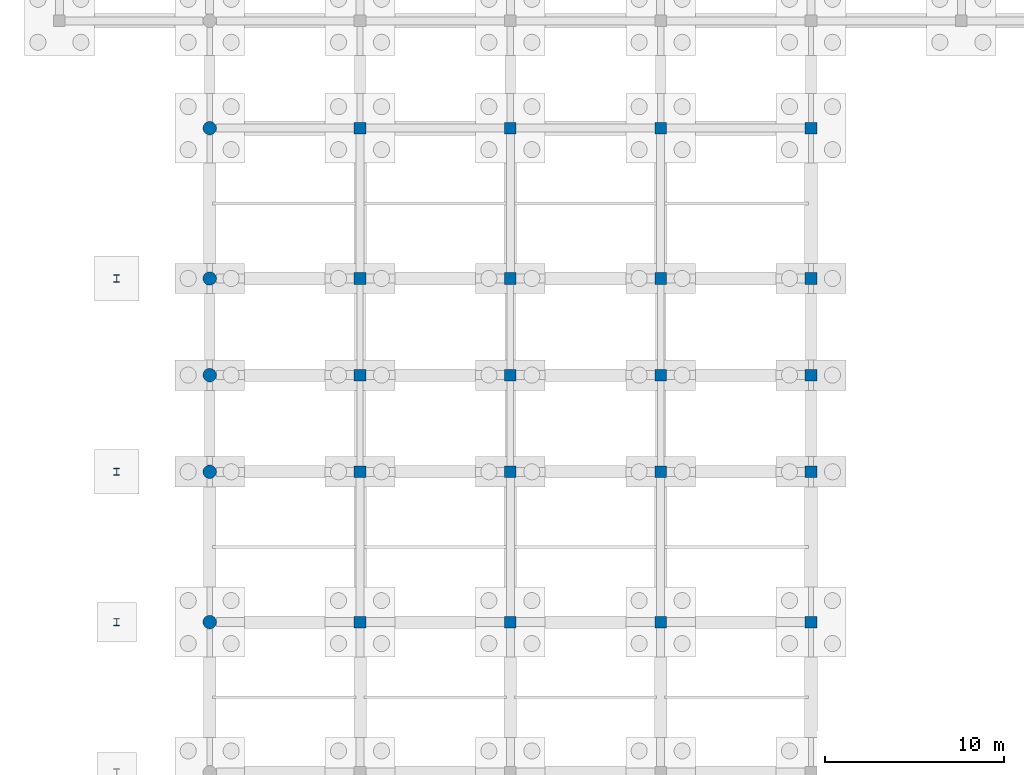
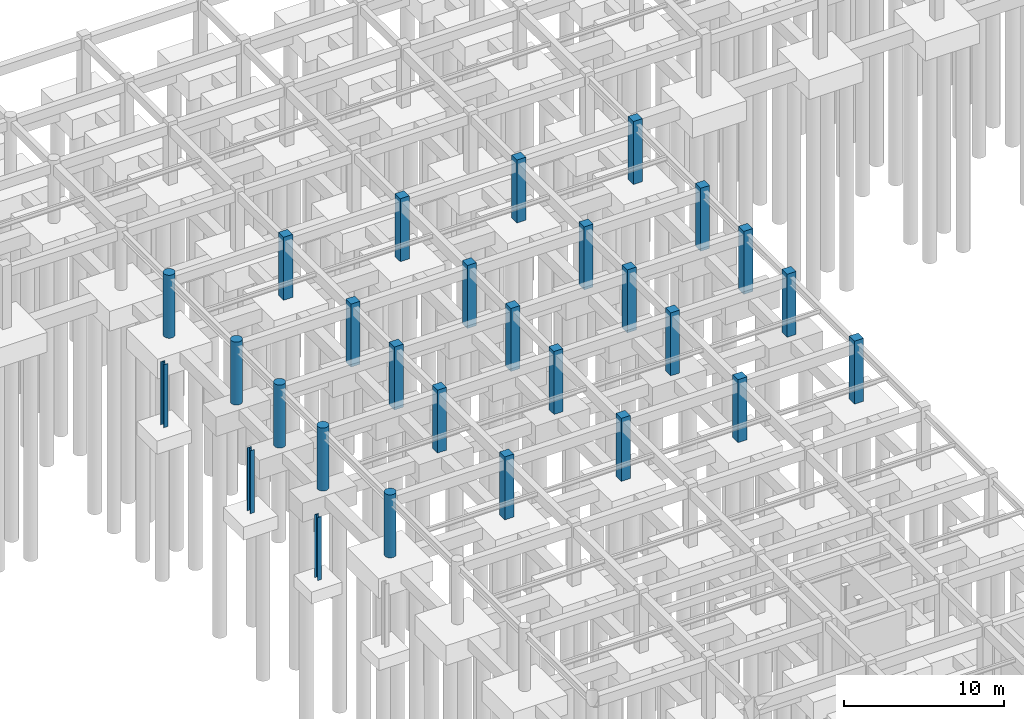
# One storey, part 22 of 49: 28 columns.
"""IFC4 building model written with IfcOpenShell, lengths in metres."""

from ifc_helpers import new_model, si_unit, direction, frame, origin, origin_2d, place, context, subcontext, project, spatial, rectangle, circle, i_section, extrude, material, material_profile, profile_set, type_object, element, save


model = new_model("IFC4")

# Units and contexts
model_context = context("Model", 3, precision=1e-05, world=origin(), true_north=direction((0.0, 1.0)))
body_context = subcontext(model_context, "Body", "Model", "MODEL_VIEW")
ifc_project = project(units=[si_unit("LENGTHUNIT", "METRE"), si_unit("AREAUNIT", "SQUARE_METRE"), si_unit("VOLUMEUNIT", "CUBIC_METRE"), si_unit("PLANEANGLEUNIT", "RADIAN"), si_unit("MASSUNIT", "GRAM", prefix="KILO")], contexts=[model_context])

# Site, building, storey
site_placement = place(None, origin())
site = spatial("IfcSite", under=ifc_project, at=site_placement, CompositionType="ELEMENT")
building_placement = place(site_placement, origin())
building = spatial("IfcBuilding", under=site, at=building_placement, Name="Krzemoval Escarpment Law Courts", CompositionType="ELEMENT")
storey_placement = place(building_placement, frame((0.0, 0.0, -4.800048828125)))
storey = spatial("IfcBuildingStorey", under=building, at=storey_placement, Name="B1", CompositionType="ELEMENT", Elevation=-4.800048828125)

# Columns
ifc_material_1 = material(Name="Concrete C40/50", Category="concrete")
ifc_material_profile_1 = material_profile(ifc_material_1, rectangle(XDim=0.64990234375, YDim=0.64990234375, at=origin_2d()), Name="RC 650x650")
ifc_profile_set_1 = profile_set([ifc_material_profile_1], Name="Concrete C40/50")
column_type_1 = type_object("IfcColumnType", Name="COL-RC-650", PredefinedType="COLUMN", material=ifc_profile_set_1)
for number, where, z_axis, x_axis, name in (
    (1, (16.800048828125, 66.0, 0.0), (0.0, 0.0, 1.0), (1.0, 0.0, 0.0), "Column FC-B1-0035"),
    (2, (16.800048828125, 74.39990234375, 0.0), (0.0, 0.0, 1.0), (1.0, 0.0, 0.0), "Column FC-B1-0036"),
    (3, (16.800048828125, 79.800048828125, 0.0), (0.0, 0.0, 1.0), (1.0, 0.0, 0.0), "Column FC-B1-0037"),
    (4, (16.800048828125, 85.199951171875, 0.0), (0.0, 0.0, 1.0), (1.0, 0.0, 0.0), "Column FC-B1-0038"),
    (5, (16.800048828125, 93.60009765625, 0.0), (0.0, 0.0, 1.0), (1.0, 0.0, 0.0), "Column FC-B1-0039"),
    (6, (25.199951171875, 66.0, 0.0), (0.0, 0.0, 1.0), (1.0, 0.0, 0.0), "Column FC-B1-0052"),
    (7, (25.199951171875, 74.39990234375, 0.0), (0.0, 0.0, 1.0), (1.0, 0.0, 0.0), "Column FC-B1-0053"),
    (8, (25.199951171875, 79.800048828125, 0.0), (0.0, 0.0, 1.0), (1.0, 0.0, 0.0), "Column FC-B1-0054"),
    (9, (25.199951171875, 85.199951171875, 0.0), (0.0, 0.0, 1.0), (1.0, 0.0, 0.0), "Column FC-B1-0055"),
    (10, (25.199951171875, 93.60009765625, 0.0), (0.0, 0.0, 1.0), (1.0, 0.0, 0.0), "Column FC-B1-0056"),
    (11, (33.60009765625, 66.0, 0.0), (0.0, 0.0, 1.0), (1.0, 0.0, 0.0), "Column FC-B1-0069"),
    (12, (33.60009765625, 74.39990234375, 0.0), (0.0, 0.0, 1.0), (1.0, 0.0, 0.0), "Column FC-B1-0070"),
    (13, (33.60009765625, 79.800048828125, 0.0), (0.0, 0.0, 1.0), (1.0, 0.0, 0.0), "Column FC-B1-0071"),
    (14, (33.60009765625, 85.199951171875, 0.0), (0.0, 0.0, 1.0), (1.0, 0.0, 0.0), "Column FC-B1-0072"),
    (15, (33.60009765625, 93.60009765625, 0.0), (0.0, 0.0, 1.0), (1.0, 0.0, 0.0), "Column FC-B1-0073"),
    (16, (42.0, 66.0, 0.0), (0.0, 0.0, 1.0), (1.0, 0.0, 0.0), "Column FC-B1-0086"),
    (17, (42.0, 74.39990234375, 0.0), (0.0, 0.0, 1.0), (1.0, 0.0, 0.0), "Column FC-B1-0087"),
    (18, (42.0, 79.800048828125, 0.0), (0.0, 0.0, 1.0), (1.0, 0.0, 0.0), "Column FC-B1-0088"),
    (19, (42.0, 85.199951171875, 0.0), (0.0, 0.0, 1.0), (1.0, 0.0, 0.0), "Column FC-B1-0089"),
    (20, (42.0, 93.60009765625, 0.0), (0.0, 0.0, 1.0), (1.0, 0.0, 0.0), "Column FC-B1-0090"),
):
    element("IfcColumn", number, at=place(storey_placement, frame(where, z_axis=z_axis, x_axis=x_axis)), inside=storey, type_object=column_type_1, Name=name, PredefinedType="COLUMN", context=body_context, shape_type="SweptSolid", body=[
        extrude(rectangle(XDim=0.64990234375, YDim=0.64990234375, at=origin_2d()), origin(), (0.0, 0.0, 1.0), 4.800048828125),
    ])
ifc_material_2 = material(Name="Concrete C40/50", Category="concrete")
ifc_material_profile_2 = material_profile(ifc_material_2, circle(Radius=0.375, at=origin_2d()), Name="RC D750")
ifc_profile_set_2 = profile_set([ifc_material_profile_2], Name="Concrete C40/50")
column_type_2 = type_object("IfcColumnType", Name="COL-RCD-750", PredefinedType="COLUMN", material=ifc_profile_set_2)
for number, where, z_axis, x_axis, name in (
    (21, (8.39990234375, 66.0, 0.0), (0.0, 0.0, 1.0), (1.0, 0.0, 0.0), "Column FC-B1-0018"),
    (22, (8.39990234375, 74.39990234375, 0.0), (0.0, 0.0, 1.0), (1.0, 0.0, 0.0), "Column FC-B1-0019"),
    (23, (8.39990234375, 79.800048828125, 0.0), (0.0, 0.0, 1.0), (1.0, 0.0, 0.0), "Column FC-B1-0020"),
    (24, (8.39990234375, 85.199951171875, 0.0), (0.0, 0.0, 1.0), (1.0, 0.0, 0.0), "Column FC-B1-0021"),
    (25, (8.39990234375, 93.60009765625, 0.0), (0.0, 0.0, 1.0), (1.0, 0.0, 0.0), "Column FC-B1-0022"),
):
    element("IfcColumn", number, at=place(storey_placement, frame(where, z_axis=z_axis, x_axis=x_axis)), inside=storey, type_object=column_type_2, Name=name, PredefinedType="COLUMN", context=body_context, shape_type="SweptSolid", body=[
        extrude(circle(Radius=0.375, at=origin_2d()), origin(), (0.0, 0.0, 1.0), 4.800048828125),
    ])
ifc_material_3 = material(Name="Steel S355", Category="steel")
ifc_material_profile_3 = material_profile(ifc_material_3, i_section(OverallWidth=0.300048828125, OverallDepth=0.39990234375, WebThickness=0.013427734375, FlangeThickness=0.02392578125, at=origin_2d()), Name="HEB 400")
ifc_profile_set_3 = profile_set([ifc_material_profile_3], Name="Steel S355")
column_type_3 = type_object("IfcColumnType", Name="COL-S355-HEB400", PredefinedType="COLUMN", material=ifc_profile_set_3)
for number, where, z_axis, x_axis, name in (
    (26, (3.199951171875, 66.0, 0.0), (0.0, 0.0, 1.0), (1.0, 0.0, 0.0), "Steel Column SC-002"),
    (27, (3.199951171875, 74.39990234375, 0.0), (0.0, 0.0, 1.0), (1.0, 0.0, 0.0), "Steel Column SC-003"),
    (28, (3.199951171875, 85.199951171875, 0.0), (0.0, 0.0, 1.0), (1.0, 0.0, 0.0), "Steel Column SC-004"),
):
    element("IfcColumn", number, at=place(storey_placement, frame(where, z_axis=z_axis, x_axis=x_axis)), inside=storey, type_object=column_type_3, Name=name, PredefinedType="COLUMN", context=body_context, shape_type="SweptSolid", body=[
        extrude(i_section(OverallWidth=0.300048828125, OverallDepth=0.39990234375, WebThickness=0.013427734375, FlangeThickness=0.02392578125, at=origin_2d()), origin(), (0.0, 0.0, 1.0), 4.800048828125),
    ])

save(model, "model.ifc")
